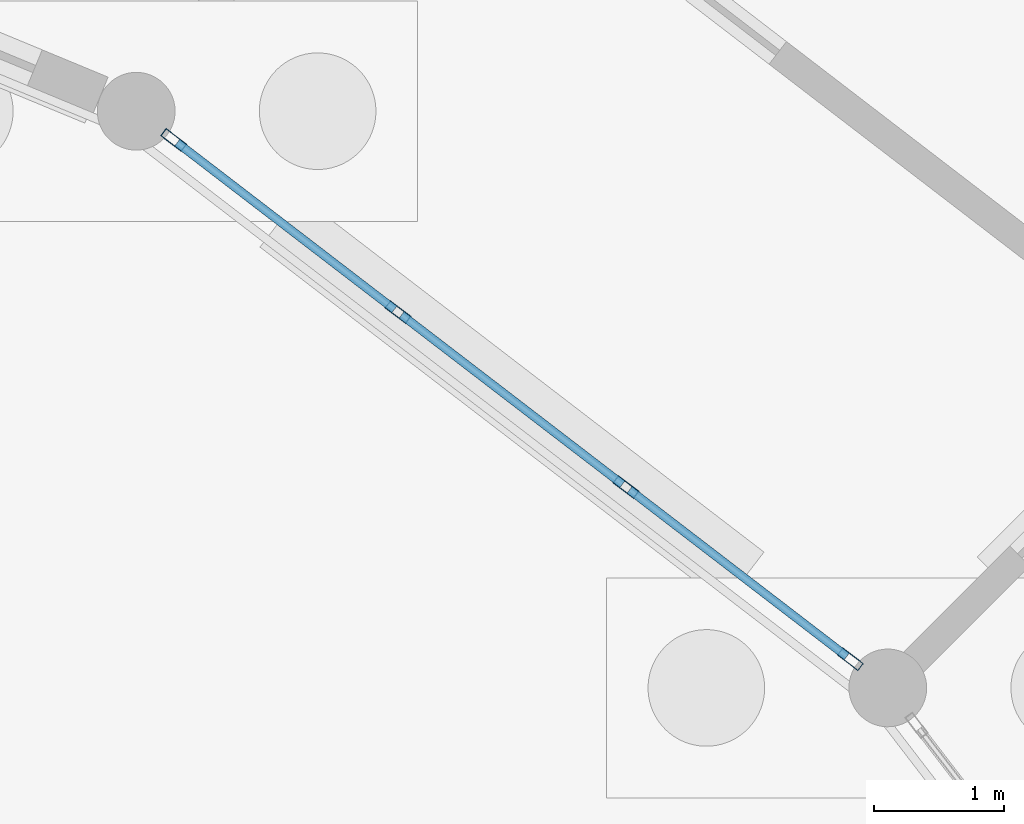
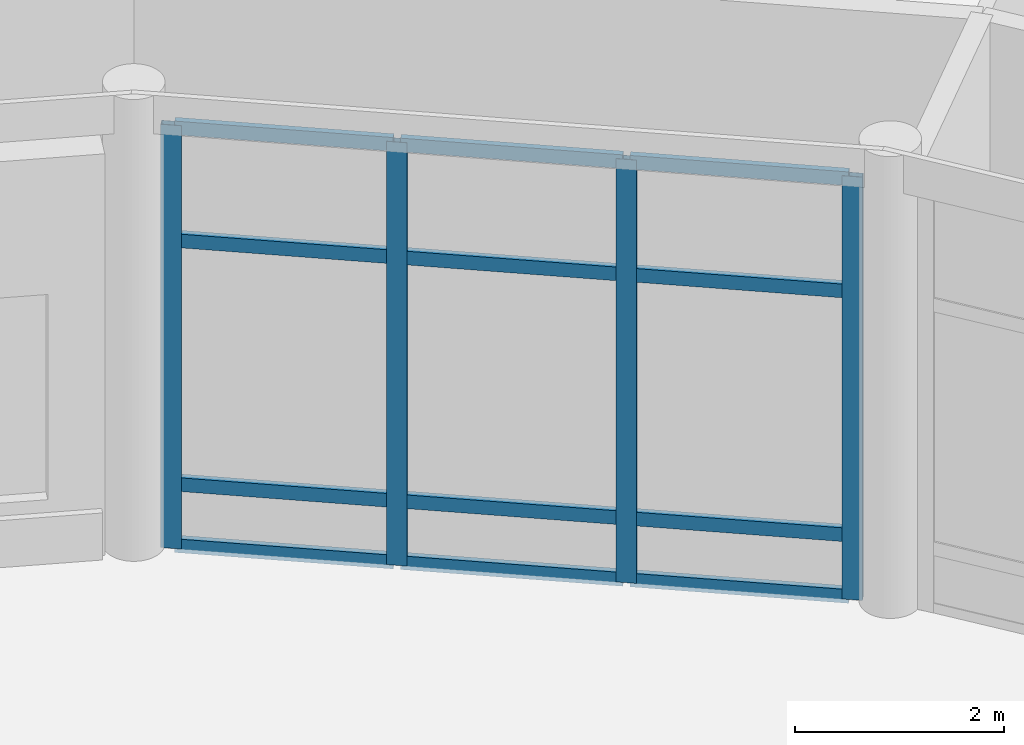
# One storey, part 61 of 137: 16 members, 1 element without a shape of its own.
"""IFC4 building model written with IfcOpenShell, lengths in metres."""

import ifcopenshell
import ifcopenshell.guid

model = None  # the IFC model being written
_history = None  # IfcOwnerHistory: only IFC2X3 demands one
_inside = {}  # id of a spatial element -> (the spatial element, [elements in it])
_under = {}  # id of a project, library or spatial element -> (it, [spatial elements below it])
_declared = {}  # id of a project -> (the project, [libraries it declares])
_typed = {}  # id of a type object -> (the type object, [elements of that type])
_made_of = {}  # id of a material, layer set ... -> (it, [elements and type objects made of it])


def new_model(schema):
    """Start an empty IFC model of exactly this schema.

    Asked for "IFC4X3", IfcOpenShell would pick the latest addendum, in which some entities
    have other attributes; the version numbers below select the first issue.
    IFC2X3 requires an IfcOwnerHistory on every rooted entity: one is made here for all.
    """
    global model, _history
    if schema == "IFC4X3":
        model = ifcopenshell.file(schema_version=(4, 3, 0, 0))
    else:
        model = ifcopenshell.file(schema=schema)
    _inside.clear()
    _under.clear()
    _declared.clear()
    _typed.clear()
    _made_of.clear()
    _history = None
    if model.schema == "IFC2X3":
        org = make("IfcOrganization", Name="unknown")
        user = make(
            "IfcPersonAndOrganization",
            ThePerson=make("IfcPerson", FamilyName="unknown"),
            TheOrganization=org,
        )
        app = make(
            "IfcApplication",
            ApplicationDeveloper=org,
            Version="unknown",
            ApplicationFullName="unknown",
            ApplicationIdentifier="unknown",
        )
        _history = make(
            "IfcOwnerHistory",
            OwningUser=user,
            OwningApplication=app,
            ChangeAction="ADDED",
            CreationDate=0,
        )
    return model


def make(cls, **values):
    """One entity of the class cls with the attributes given. An attribute that is None is left unset."""
    return model.create_entity(
        cls, **{name: value for name, value in values.items() if value is not None}
    )


def rooted(cls, **values):
    """An entity with a GlobalId (a new one), such as an element, a storey or a relation."""
    return make(cls, GlobalId=ifcopenshell.guid.new(), OwnerHistory=_history, **values)


def si_unit(unit_type, name, prefix=None):
    """IfcSIUnit, for example si_unit("LENGTHUNIT", "METRE", prefix="MILLI")."""
    return make("IfcSIUnit", UnitType=unit_type, Prefix=prefix, Name=name)


def assignment(units):
    """IfcUnitAssignment: the units of a project."""
    return None if units is None else make("IfcUnitAssignment", Units=units)


def point(xyz):
    """IfcCartesianPoint."""
    return None if xyz is None else make("IfcCartesianPoint", Coordinates=xyz)


def direction(xyz):
    """IfcDirection."""
    return None if xyz is None else make("IfcDirection", DirectionRatios=xyz)


def frame(location, z_axis=None, x_axis=None):
    """IfcAxis2Placement3D, a coordinate frame: its origin and axes. An axis left out is left unset."""
    return make(
        "IfcAxis2Placement3D",
        Location=point(location),
        Axis=direction(z_axis),
        RefDirection=direction(x_axis),
    )


def frame_2d(location, x_axis=None):
    """IfcAxis2Placement2D, a coordinate frame in the plane: its origin and x axis."""
    return make(
        "IfcAxis2Placement2D", Location=point(location), RefDirection=direction(x_axis)
    )


def origin():
    """The frame at (0, 0, 0) with its axes left unset."""
    return frame((0.0, 0.0, 0.0))


def origin_2d():
    """The frame at (0, 0) in the plane with its x axis left unset."""
    return frame_2d((0.0, 0.0))


def place(relative_to, where):
    """IfcLocalPlacement: puts the frame where relative to a parent placement (None: the world)."""
    return make(
        "IfcLocalPlacement", PlacementRelTo=relative_to, RelativePlacement=where
    )


def context(
    kind, dimensions, precision=None, world=None, true_north=None, identifier=None
):
    """IfcGeometricRepresentationContext, for example the 3D "Model" context."""
    return make(
        "IfcGeometricRepresentationContext",
        ContextIdentifier=identifier,
        ContextType=kind,
        CoordinateSpaceDimension=dimensions,
        Precision=precision,
        WorldCoordinateSystem=world,
        TrueNorth=true_north,
    )


def subcontext(parent, identifier, kind, view, scale=None):
    """IfcGeometricRepresentationSubContext, for example "Body" below "Model"."""
    return make(
        "IfcGeometricRepresentationSubContext",
        ContextIdentifier=identifier,
        ContextType=kind,
        ParentContext=parent,
        TargetScale=scale,
        TargetView=view,
    )


def project(units=None, contexts=None):
    """IfcProject with its units and contexts."""
    return rooted(
        "IfcProject",
        Name="project",
        RepresentationContexts=contexts,
        UnitsInContext=assignment(units),
    )


def spatial(cls, under=None, at=None, **own):
    """A site, building, storey or space (cls), placed at a placement, below another one or the project."""
    s = rooted(cls, ObjectPlacement=at, **own)
    if under is not None:
        _under.setdefault(under.id(), (under, []))[1].append(s)
    return s


def profile(cls, at=None, kind="AREA", **sizes):
    """A parametric profile (cls). Its sizes go by their IFC names, for example OverallWidth=200.0."""
    return make(cls, ProfileType=kind, Position=at, **sizes)


def hollow_rectangle(**sizes):
    """IfcRectangleHollowProfileDef."""
    return profile("IfcRectangleHollowProfileDef", **sizes)


def extrude(swept, where, along, depth):
    """IfcExtrudedAreaSolid: the profile swept, set in the frame where, extruded along a direction by depth."""
    return make(
        "IfcExtrudedAreaSolid",
        SweptArea=swept,
        Position=where,
        ExtrudedDirection=direction(along),
        Depth=depth,
    )


def shape(context_of_items, identifier, shape_type, items):
    """IfcShapeRepresentation: the items that make up one representation, for example the "Body"."""
    return make(
        "IfcShapeRepresentation",
        ContextOfItems=context_of_items,
        RepresentationIdentifier=identifier,
        RepresentationType=shape_type,
        Items=items,
    )


def material(Name=None, Category=None):
    """IfcMaterial."""
    return make("IfcMaterial", Name=Name, Category=Category)


def material_profile(
    of_material, cross_section, Name=None, Category=None, Priority=None
):
    """IfcMaterialProfile: a cross section and its material."""
    return make(
        "IfcMaterialProfile",
        Name=Name,
        Material=of_material,
        Profile=cross_section,
        Priority=Priority,
        Category=Category,
    )


def profile_set(profiles, Name=None, composite=None):
    """IfcMaterialProfileSet."""
    return make(
        "IfcMaterialProfileSet",
        Name=Name,
        MaterialProfiles=profiles,
        CompositeProfile=composite,
    )


def made_of(thing, what):
    """Note that an element or type object is made of a material, layer set ...; save() writes the relation."""
    if what is not None:
        _made_of.setdefault(what.id(), (what, []))[1].append(thing)
    return thing


def type_object(cls, material=None, **own):
    """A type object (cls), such as IfcWallType, which elements share."""
    return made_of(rooted(cls, **own), material)


def element(
    cls,
    number,
    at=None,
    inside=None,
    cuts=None,
    type_object=None,
    material=None,
    context=None,
    identifier="Body",
    shape_type=None,
    held_by="IfcProductDefinitionShape",
    body=None,
    shapes=None,
    **own,
):
    """One element of the class cls, such as IfcWall. Its Tag is "e" and its number.

    at: its placement. inside: the storey or other place that contains it. cuts: it is an
    opening in that element (IfcRelVoidsElement). A single representation is given by context,
    identifier, shape_type and body (its items); several are given by shapes. held_by: the class
    of the entity that holds the representations. save() writes the other relations.
    """
    e = rooted(cls, Tag="e%d" % number, ObjectPlacement=at, **own)
    if body is not None:
        shapes = [shape(context, identifier, shape_type, body)]
    if shapes is not None:
        e.Representation = make(held_by, Representations=shapes)
    if inside is not None:
        _inside.setdefault(inside.id(), (inside, []))[1].append(e)
    if cuts is not None:
        rooted(
            "IfcRelVoidsElement", RelatingBuildingElement=cuts, RelatedOpeningElement=e
        )
    if type_object is not None:
        _typed.setdefault(type_object.id(), (type_object, []))[1].append(e)
    return made_of(e, material)


def aggregate(whole, parts):
    """IfcRelAggregates: a whole, such as a stair, and the parts it consists of."""
    return rooted("IfcRelAggregates", RelatingObject=whole, RelatedObjects=parts)


def save(model, path):
    """Write the relations noted so far, then the file.

    IfcRelAggregates (storeys below a building ...), IfcRelContainedInSpatialStructure (elements
    in a storey), IfcRelDefinesByType, IfcRelAssociatesMaterial and IfcRelDeclares: one each for
    every whole, place, type object, material and project.
    """
    for whole, parts in _under.values():
        aggregate(whole, parts)
    for where, things in _inside.values():
        rooted(
            "IfcRelContainedInSpatialStructure",
            RelatedElements=things,
            RelatingStructure=where,
        )
    for kind, things in _typed.values():
        rooted("IfcRelDefinesByType", RelatedObjects=things, RelatingType=kind)
    for what, things in _made_of.values():
        rooted("IfcRelAssociatesMaterial", RelatedObjects=things, RelatingMaterial=what)
    for by, libraries in _declared.values():
        rooted("IfcRelDeclares", RelatingContext=by, RelatedDefinitions=libraries)
    model.write(path)


model = new_model("IFC4")

# Units and contexts
model_context = context("Model", 3, precision=1e-05, world=origin(), true_north=direction((0.0, 1.0)))
body_context = subcontext(model_context, "Body", "Model", "MODEL_VIEW")
ifc_project = project(units=[si_unit("LENGTHUNIT", "METRE"), si_unit("AREAUNIT", "SQUARE_METRE"), si_unit("VOLUMEUNIT", "CUBIC_METRE"), si_unit("PLANEANGLEUNIT", "RADIAN"), si_unit("MASSUNIT", "GRAM", prefix="KILO")], contexts=[model_context])

# Site, building, storey
site_placement = place(None, origin())
site = spatial("IfcSite", under=ifc_project, at=site_placement, CompositionType="ELEMENT")
building_placement = place(site_placement, origin())
building = spatial("IfcBuilding", under=site, at=building_placement, Name="Vondelvale Polytechnic", CompositionType="ELEMENT")
storey_placement = place(building_placement, origin())
storey = spatial("IfcBuildingStorey", under=building, at=storey_placement, Name="L00", CompositionType="ELEMENT", Elevation=0.0)

# Curtain wall, members
ifc_material = material(Name="Anodised extruded aluminium 6063-T6", Category="aluminium")
curtain_wall_type = type_object("IfcCurtainWallType", Name="CW-RING-CLOISTER", PredefinedType="NOTDEFINED", material=ifc_material)
curtain_wall_placement = place(storey_placement, origin())
curtain_wall = element("IfcCurtainWall", 1, at=curtain_wall_placement, inside=storey, type_object=curtain_wall_type, Name="L00 architectural curtain wall CW-03-097", PredefinedType="NOTDEFINED")
ifc_material_profile_1 = material_profile(ifc_material, hollow_rectangle(XDim=0.070068359375, YDim=0.199951171875, WallThickness=0.00390625, at=origin_2d()), Name="CW-MUL-200x70")
ifc_profile_set_1 = profile_set([ifc_material_profile_1], Name="Anodised extruded aluminium 6063-T6")
member_type_1 = type_object("IfcMemberType", Name="CW-MUL-70x200", PredefinedType="MULLION", material=ifc_profile_set_1)
member_1_placement = place(storey_placement, frame((121.510498046875, 92.0205078125, 0.0), z_axis=(0.0, 0.0, 1.0), x_axis=(-0.608747717793, -0.793363861089, 0.0)))
member_1 = element("IfcMember", 2, at=member_1_placement, type_object=member_type_1, Name="CW-03-097 mullion 1", PredefinedType="MULLION", context=body_context, shape_type="SweptSolid", body=[
    extrude(hollow_rectangle(XDim=0.070068359375, YDim=0.199951171875, WallThickness=0.00390625, at=origin_2d()), origin(), (0.0, 0.0, 1.0), 4.949951171875),
])
member_2_placement = place(storey_placement, frame((119.779052734375, 93.348876953125, 0.0), z_axis=(0.0, 0.0, 1.0), x_axis=(-0.608747717793, -0.793363861089, 0.0)))
member_2 = element("IfcMember", 3, at=member_2_placement, type_object=member_type_1, Name="CW-03-097 mullion 2", PredefinedType="MULLION", context=body_context, shape_type="SweptSolid", body=[
    extrude(hollow_rectangle(XDim=0.070068359375, YDim=0.199951171875, WallThickness=0.00390625, at=origin_2d()), origin(), (0.0, 0.0, 1.0), 4.949951171875),
])
member_3_placement = place(storey_placement, frame((118.02001953125, 94.69873046875, 0.0), z_axis=(0.0, 0.0, 1.0), x_axis=(-0.608747717793, -0.793363861089, 0.0)))
member_3 = element("IfcMember", 4, at=member_3_placement, type_object=member_type_1, Name="CW-03-097 mullion 3", PredefinedType="MULLION", context=body_context, shape_type="SweptSolid", body=[
    extrude(hollow_rectangle(XDim=0.070068359375, YDim=0.199951171875, WallThickness=0.00390625, at=origin_2d()), origin(), (0.0, 0.0, 1.0), 4.949951171875),
])
member_4_placement = place(storey_placement, frame((116.28857421875, 96.02734375, 0.0), z_axis=(0.0, 0.0, 1.0), x_axis=(-0.608747717793, -0.793363861089, 0.0)))
member_4 = element("IfcMember", 5, at=member_4_placement, type_object=member_type_1, Name="CW-03-097 mullion 4", PredefinedType="MULLION", context=body_context, shape_type="SweptSolid", body=[
    extrude(hollow_rectangle(XDim=0.070068359375, YDim=0.199951171875, WallThickness=0.00390625, at=origin_2d()), origin(), (0.0, 0.0, 1.0), 4.949951171875),
])
ifc_material_profile_2 = material_profile(ifc_material, hollow_rectangle(XDim=0.06494140625, YDim=0.159912109375, WallThickness=0.00341796875, at=origin_2d()), Name="CW-TRN-160x65")
ifc_profile_set_2 = profile_set([ifc_material_profile_2], Name="Anodised extruded aluminium 6063-T6")
member_type_2 = type_object("IfcMemberType", Name="CW-TRN-70x160", PredefinedType="USERDEFINED", material=ifc_profile_set_2)
member_5_placement = place(storey_placement, frame((121.482666015625, 92.041748046875, 0.032470703125), z_axis=(-0.793349569285, 0.608766343448, 0.0), x_axis=(-0.608766343448, -0.793349569285, 0.0)))
member_5 = element("IfcMember", 6, at=member_5_placement, type_object=member_type_2, Name="CW-03-097 transom 1.1", ObjectType="TRANSOM", PredefinedType="USERDEFINED", context=body_context, shape_type="SweptSolid", body=[
    extrude(hollow_rectangle(XDim=0.06494140625, YDim=0.159912109375, WallThickness=0.00341796875, at=origin_2d()), origin(), (0.0, 0.0, 1.0), 2.1123046875),
])
member_6_placement = place(storey_placement, frame((121.482666015625, 92.041748046875, 0.75), z_axis=(-0.793349569285, 0.608766343448, 0.0), x_axis=(-0.608766343448, -0.793349569285, 0.0)))
member_6 = element("IfcMember", 7, at=member_6_placement, type_object=member_type_2, Name="CW-03-097 transom 1.2", ObjectType="TRANSOM", PredefinedType="USERDEFINED", context=body_context, shape_type="SweptSolid", body=[
    extrude(hollow_rectangle(XDim=0.06494140625, YDim=0.159912109375, WallThickness=0.00341796875, at=origin_2d()), origin(), (0.0, 0.0, 1.0), 2.1123046875),
])
member_7_placement = place(storey_placement, frame((121.482666015625, 92.041748046875, 3.60009765625), z_axis=(-0.793349569285, 0.608766343448, 0.0), x_axis=(-0.608766343448, -0.793349569285, 0.0)))
member_7 = element("IfcMember", 8, at=member_7_placement, type_object=member_type_2, Name="CW-03-097 transom 1.3", ObjectType="TRANSOM", PredefinedType="USERDEFINED", context=body_context, shape_type="SweptSolid", body=[
    extrude(hollow_rectangle(XDim=0.06494140625, YDim=0.159912109375, WallThickness=0.00341796875, at=origin_2d()), origin(), (0.0, 0.0, 1.0), 2.1123046875),
])
member_8_placement = place(storey_placement, frame((121.482666015625, 92.041748046875, 4.91748046875), z_axis=(-0.793349569285, 0.608766343448, 0.0), x_axis=(-0.608766343448, -0.793349569285, 0.0)))
member_8 = element("IfcMember", 9, at=member_8_placement, type_object=member_type_2, Name="CW-03-097 transom 1.4", ObjectType="TRANSOM", PredefinedType="USERDEFINED", context=body_context, shape_type="SweptSolid", body=[
    extrude(hollow_rectangle(XDim=0.06494140625, YDim=0.159912109375, WallThickness=0.00341796875, at=origin_2d()), origin(), (0.0, 0.0, 1.0), 2.1123046875),
])
member_9_placement = place(storey_placement, frame((119.751220703125, 93.370361328125, 0.032470703125), z_axis=(-0.793375728306, 0.608732251269, 0.0), x_axis=(-0.608732251269, -0.793375728306, 0.0)))
member_9 = element("IfcMember", 10, at=member_9_placement, type_object=member_type_2, Name="CW-03-097 transom 2.1", ObjectType="TRANSOM", PredefinedType="USERDEFINED", context=body_context, shape_type="SweptSolid", body=[
    extrude(hollow_rectangle(XDim=0.06494140625, YDim=0.159912109375, WallThickness=0.00341796875, at=origin_2d()), origin(), (0.0, 0.0, 1.0), 2.147216796875),
])
member_10_placement = place(storey_placement, frame((119.751220703125, 93.370361328125, 0.75), z_axis=(-0.793375728306, 0.608732251269, 0.0), x_axis=(-0.608732251269, -0.793375728306, 0.0)))
member_10 = element("IfcMember", 11, at=member_10_placement, type_object=member_type_2, Name="CW-03-097 transom 2.2", ObjectType="TRANSOM", PredefinedType="USERDEFINED", context=body_context, shape_type="SweptSolid", body=[
    extrude(hollow_rectangle(XDim=0.06494140625, YDim=0.159912109375, WallThickness=0.00341796875, at=origin_2d()), origin(), (0.0, 0.0, 1.0), 2.147216796875),
])
member_11_placement = place(storey_placement, frame((119.751220703125, 93.370361328125, 3.60009765625), z_axis=(-0.793375728306, 0.608732251269, 0.0), x_axis=(-0.608732251269, -0.793375728306, 0.0)))
member_11 = element("IfcMember", 12, at=member_11_placement, type_object=member_type_2, Name="CW-03-097 transom 2.3", ObjectType="TRANSOM", PredefinedType="USERDEFINED", context=body_context, shape_type="SweptSolid", body=[
    extrude(hollow_rectangle(XDim=0.06494140625, YDim=0.159912109375, WallThickness=0.00341796875, at=origin_2d()), origin(), (0.0, 0.0, 1.0), 2.147216796875),
])
member_12_placement = place(storey_placement, frame((119.751220703125, 93.370361328125, 4.91748046875), z_axis=(-0.793375728306, 0.608732251269, 0.0), x_axis=(-0.608732251269, -0.793375728306, 0.0)))
member_12 = element("IfcMember", 13, at=member_12_placement, type_object=member_type_2, Name="CW-03-097 transom 2.4", ObjectType="TRANSOM", PredefinedType="USERDEFINED", context=body_context, shape_type="SweptSolid", body=[
    extrude(hollow_rectangle(XDim=0.06494140625, YDim=0.159912109375, WallThickness=0.00341796875, at=origin_2d()), origin(), (0.0, 0.0, 1.0), 2.147216796875),
])
member_13_placement = place(storey_placement, frame((117.9921875, 94.719970703125, 0.032470703125), z_axis=(-0.793336583571, 0.608783266169, 0.0), x_axis=(-0.608783266169, -0.793336583571, 0.0)))
member_13 = element("IfcMember", 14, at=member_13_placement, type_object=member_type_2, Name="CW-03-097 transom 3.1", ObjectType="TRANSOM", PredefinedType="USERDEFINED", context=body_context, shape_type="SweptSolid", body=[
    extrude(hollow_rectangle(XDim=0.06494140625, YDim=0.159912109375, WallThickness=0.00341796875, at=origin_2d()), origin(), (0.0, 0.0, 1.0), 2.112548828125),
])
member_14_placement = place(storey_placement, frame((117.9921875, 94.719970703125, 0.75), z_axis=(-0.793336583571, 0.608783266169, 0.0), x_axis=(-0.608783266169, -0.793336583571, 0.0)))
member_14 = element("IfcMember", 15, at=member_14_placement, type_object=member_type_2, Name="CW-03-097 transom 3.2", ObjectType="TRANSOM", PredefinedType="USERDEFINED", context=body_context, shape_type="SweptSolid", body=[
    extrude(hollow_rectangle(XDim=0.06494140625, YDim=0.159912109375, WallThickness=0.00341796875, at=origin_2d()), origin(), (0.0, 0.0, 1.0), 2.112548828125),
])
member_15_placement = place(storey_placement, frame((117.9921875, 94.719970703125, 3.60009765625), z_axis=(-0.793336583571, 0.608783266169, 0.0), x_axis=(-0.608783266169, -0.793336583571, 0.0)))
member_15 = element("IfcMember", 16, at=member_15_placement, type_object=member_type_2, Name="CW-03-097 transom 3.3", ObjectType="TRANSOM", PredefinedType="USERDEFINED", context=body_context, shape_type="SweptSolid", body=[
    extrude(hollow_rectangle(XDim=0.06494140625, YDim=0.159912109375, WallThickness=0.00341796875, at=origin_2d()), origin(), (0.0, 0.0, 1.0), 2.112548828125),
])
member_16_placement = place(storey_placement, frame((117.9921875, 94.719970703125, 4.91748046875), z_axis=(-0.793336583571, 0.608783266169, 0.0), x_axis=(-0.608783266169, -0.793336583571, 0.0)))
member_16 = element("IfcMember", 17, at=member_16_placement, type_object=member_type_2, Name="CW-03-097 transom 3.4", ObjectType="TRANSOM", PredefinedType="USERDEFINED", context=body_context, shape_type="SweptSolid", body=[
    extrude(hollow_rectangle(XDim=0.06494140625, YDim=0.159912109375, WallThickness=0.00341796875, at=origin_2d()), origin(), (0.0, 0.0, 1.0), 2.112548828125),
])
aggregate(curtain_wall, [member_1, member_2, member_3, member_4, member_5, member_6, member_7, member_8, member_9, member_10, member_11, member_12, member_13, member_14, member_15, member_16])

save(model, "model.ifc")
